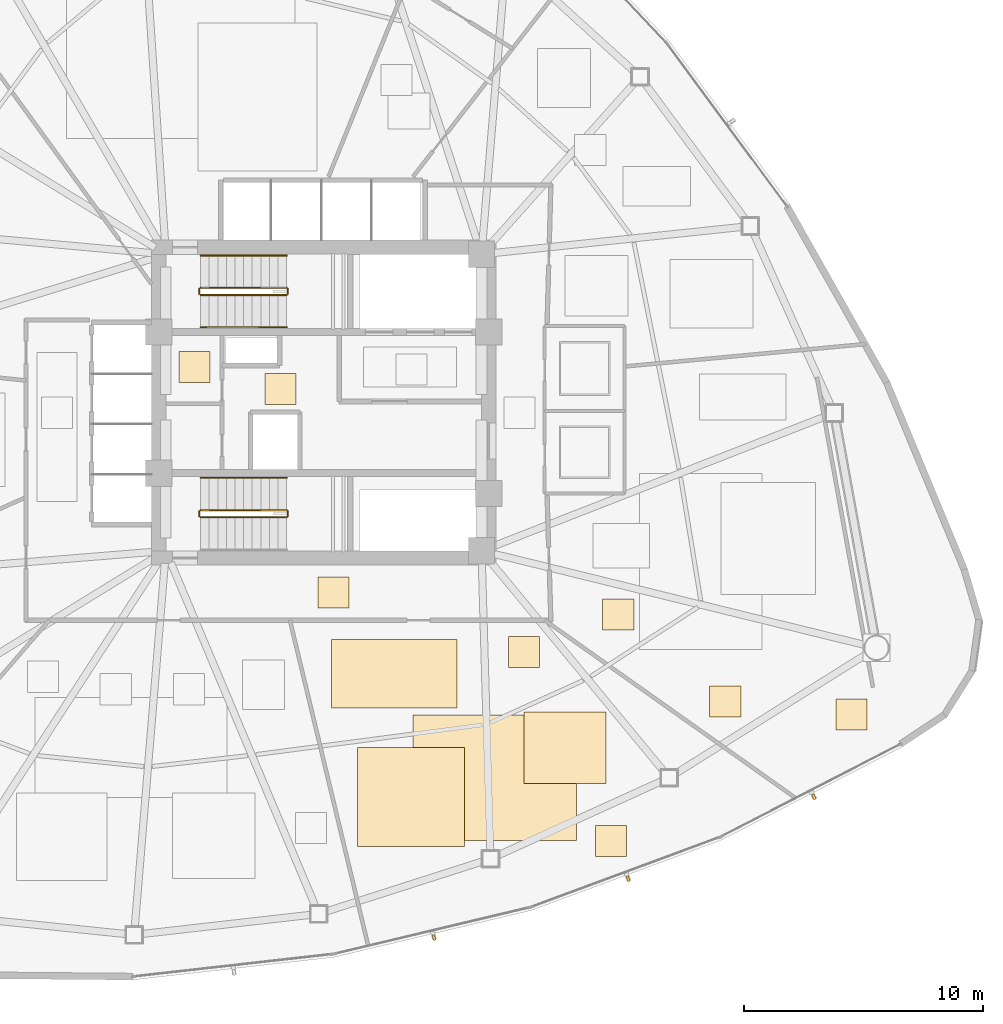
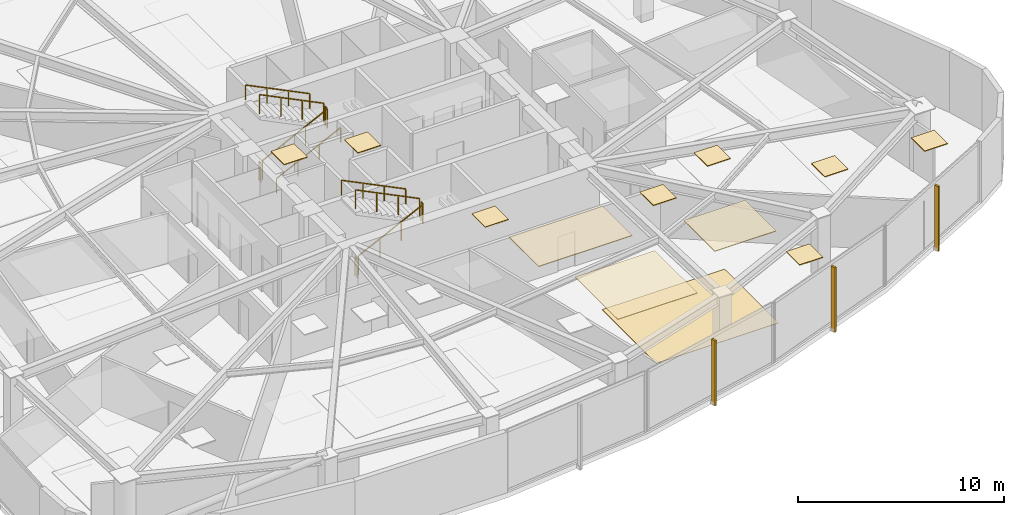
# One storey, part 15 of 17: 12 coverings, 11 railings, 3 shading devices.
"""IFC4 building model written with IfcOpenShell, lengths in metres."""

from ifc_helpers import new_model, si_unit, direction, frame, origin, origin_2d, place, context, subcontext, project, spatial, polyline, rectangle, outline, extrude, source, transform, mapped, material, layer, layer_set, type_object, type_shapes, element, save


model = new_model("IFC4")

# Units and contexts
model_context = context("Model", 3, precision=1e-05, world=origin(), true_north=direction((0.0, 1.0)))
body_context = subcontext(model_context, "Body", "Model", "MODEL_VIEW")
ifc_project = project(units=[si_unit("LENGTHUNIT", "METRE"), si_unit("AREAUNIT", "SQUARE_METRE"), si_unit("VOLUMEUNIT", "CUBIC_METRE"), si_unit("PLANEANGLEUNIT", "RADIAN"), si_unit("MASSUNIT", "GRAM", prefix="KILO")], contexts=[model_context])

# Site, building, storey
site_placement = place(None, origin())
site = spatial("IfcSite", under=ifc_project, at=site_placement, CompositionType="ELEMENT")
building_placement = place(site_placement, origin())
building = spatial("IfcBuilding", under=site, at=building_placement, Name="Tavelor Broadcast Tower", CompositionType="ELEMENT")
storey_placement = place(building_placement, frame((0.0, 0.0, 66.60009765625)))
storey = spatial("IfcBuildingStorey", under=building, at=storey_placement, Name="L15", CompositionType="ELEMENT", Elevation=66.60009765625)

# Covering
ifc_material_1 = material(Name="Copper-Bronze Anodized Aluminium", Category="aluminium")
ifc_layer_1 = layer(ifc_material_1, 0.044921875)
ifc_layer_set_1 = layer_set([ifc_layer_1], Name="Copper-Bronze Anodized Aluminium")
covering_type_1 = type_object("IfcCoveringType", Name="Anodised Bronze Linear Slatted Concourse Ceiling 45 mm", PredefinedType="CEILING", material=ifc_layer_set_1)
covering_1_placement = place(storey_placement, frame((0.0, 0.0, 3.554931640625)))
element("IfcCovering", 1, at=covering_1_placement, inside=storey, type_object=covering_type_1, Name="L15 Suspended Acoustic Ceiling 0589", PredefinedType="CEILING", context=body_context, shape_type="SweptSolid", body=[
    extrude(outline(polyline([(47.5400390625, 44.919921875), (48.840087890625, 44.919921875), (48.840087890625, 46.219970703125), (47.5400390625, 46.219970703125), (47.5400390625, 44.919921875)])), origin(), (0.0, 0.0, 1.0), 0.044921875),
])

# Railings
ifc_material_2 = material(Name="Steel S355", Category="steel")
railing_type_1 = type_object("IfcRailingType", Name="Continuous Brushed Stainless Handrail 900 mm", PredefinedType="HANDRAIL", material=ifc_material_2)
railing_1_placement = place(storey_placement, frame((44.85009765625, 48.14990234375, 0.17724609375)))
element("IfcRailing", 2, at=railing_1_placement, inside=storey, type_object=railing_type_1, Name="L15 ST1 stair handrail 1", PredefinedType="HANDRAIL", context=body_context, shape_type="SweptSolid", body=[
    extrude(rectangle(XDim=0.048095703125, YDim=0.048095703125, at=origin_2d()), frame((0.0, 0.0, 0.8759765625), z_axis=(0.897124305991, 0.0, 0.441778201817), x_axis=(0.0, 1.0, 0.0)), (0.0, 0.0, 1.0), 4.0126953125),
    extrude(rectangle(XDim=0.0419921875, YDim=0.0419921875, at=origin_2d()), origin(), (0.0, 0.0, 1.0), 0.851806640625),
    extrude(rectangle(XDim=0.0419921875, YDim=0.0419921875, at=origin_2d()), frame((1.199951171875, 0.0, 0.5908203125)), (0.0, 0.0, 1.0), 0.851806640625),
    extrude(rectangle(XDim=0.0419921875, YDim=0.0419921875, at=origin_2d()), frame((2.39990234375, 0.0, 1.181884765625)), (0.0, 0.0, 1.0), 0.851806640625),
    extrude(rectangle(XDim=0.0419921875, YDim=0.0419921875, at=origin_2d()), frame((3.599853515625, 0.0, 1.772705078125)), (0.0, 0.0, 1.0), 0.851806640625),
])
for number, where, name in (
    (3, (48.449951171875, 51.14990234375, 2.127197265625), "L15 ST1 stair handrail 2"),
    (4, (48.449951171875, 41.85009765625, 2.127197265625), "L15 ST2 stair handrail 2"),
):
    element("IfcRailing", number, at=place(storey_placement, frame(where)), inside=storey, type_object=railing_type_1, Name=name, PredefinedType="HANDRAIL", context=body_context, shape_type="SweptSolid", body=[
        extrude(rectangle(XDim=0.048095703125, YDim=0.048095703125, at=origin_2d()), frame((0.0, 0.0, 0.8759765625), z_axis=(-0.897124305991, 0.0, 0.441778201817), x_axis=(0.0, -1.0, 0.0)), (0.0, 0.0, 1.0), 4.0126953125),
        extrude(rectangle(XDim=0.0419921875, YDim=0.0419921875, at=origin_2d()), origin(), (0.0, 0.0, 1.0), 0.851806640625),
        extrude(rectangle(XDim=0.0419921875, YDim=0.0419921875, at=origin_2d()), frame((-1.199951171875, 0.0, 0.5908203125)), (0.0, 0.0, 1.0), 0.851806640625),
        extrude(rectangle(XDim=0.0419921875, YDim=0.0419921875, at=origin_2d()), frame((-2.39990234375, 0.0, 1.181884765625)), (0.0, 0.0, 1.0), 0.851806640625),
        extrude(rectangle(XDim=0.0419921875, YDim=0.0419921875, at=origin_2d()), frame((-3.599853515625, 0.0, 1.772705078125)), (0.0, 0.0, 1.0), 0.851806640625),
    ])

# Coverings
ifc_material_3 = material(Name="Architectural Anodized Aluminium", Category="aluminium")
ifc_layer_2 = layer(ifc_material_3, 0.034912109375)
ifc_layer_set_2 = layer_set([ifc_layer_2], Name="Architectural Anodized Aluminium")
covering_type_2 = type_object("IfcCoveringType", Name="Demountable Metal Tile Corridor Ceiling 35 mm", PredefinedType="CEILING", material=ifc_layer_set_2)
covering_2_placement = place(storey_placement, frame((0.0, 0.0, 3.56494140625)))
element("IfcCovering", 5, at=covering_2_placement, inside=storey, type_object=covering_type_2, Name="L15 Suspended Acoustic Ceiling 0592", PredefinedType="CEILING", context=body_context, shape_type="SweptSolid", body=[
    extrude(outline(polyline([(49.75244140625, 36.39990234375), (51.052490234375, 36.39990234375), (51.052490234375, 37.699951171875), (49.75244140625, 37.699951171875), (49.75244140625, 36.39990234375)])), origin(), (0.0, 0.0, 1.0), 0.034912109375),
])
ifc_material_4 = material(Name="Acoustic Nylon Carpet Tile")
ifc_layer_3 = layer(ifc_material_4, 0.02001953125)
ifc_layer_set_3 = layer_set([ifc_layer_3], Name="Acoustic Nylon Carpet Tile")
covering_type_3 = type_object("IfcCoveringType", Name="Heavy-Duty Acoustic Broadcast Carpet Tile 20 mm", PredefinedType="FLOORING", material=ifc_layer_set_3)
covering_3_placement = place(storey_placement, origin())
element("IfcCovering", 6, at=covering_3_placement, inside=storey, type_object=covering_type_3, Name="L15 Broadcast Floor Finish 0216", PredefinedType="FLOORING", context=body_context, shape_type="SweptSolid", body=[
    extrude(outline(polyline([(53.725830078125, 26.690673828125), (60.58154296875, 26.690673828125), (60.58154296875, 31.945068359375), (53.725830078125, 31.945068359375), (53.725830078125, 26.690673828125)])), origin(), (0.0, 0.0, 1.0), 0.02001953125),
])

# Railings
railing_type_2 = type_object("IfcRailingType", Name="Stairwell Steel Safety Guardrail 1150 mm", PredefinedType="GUARDRAIL", material=ifc_material_2)
railing_2_placement = place(storey_placement, frame((44.85009765625, 49.5, 0.17724609375)))
element("IfcRailing", 7, at=railing_2_placement, inside=storey, type_object=railing_type_2, Name="L15 ST1 stair guard 1", PredefinedType="GUARDRAIL", context=body_context, shape_type="SweptSolid", body=[
    extrude(rectangle(XDim=0.048095703125, YDim=0.048095703125, at=origin_2d()), frame((0.0, 0.0, 1.1259765625), z_axis=(0.897124305991, 0.0, 0.441778201817), x_axis=(0.0, 1.0, 0.0)), (0.0, 0.0, 1.0), 4.0126953125),
    extrude(rectangle(XDim=0.0419921875, YDim=0.0419921875, at=origin_2d()), origin(), (0.0, 0.0, 1.0), 1.101806640625),
    extrude(rectangle(XDim=0.0419921875, YDim=0.0419921875, at=origin_2d()), frame((1.199951171875, 0.0, 0.5908203125)), (0.0, 0.0, 1.0), 1.101806640625),
    extrude(rectangle(XDim=0.0419921875, YDim=0.0419921875, at=origin_2d()), frame((2.39990234375, 0.0, 1.181884765625)), (0.0, 0.0, 1.0), 1.101806640625),
    extrude(rectangle(XDim=0.0419921875, YDim=0.0419921875, at=origin_2d()), frame((3.599853515625, 0.0, 1.772705078125)), (0.0, 0.0, 1.0), 1.101806640625),
])
railing_3_placement = place(storey_placement, frame((48.5, 49.550048828125, 1.949951171875)))
element("IfcRailing", 8, at=railing_3_placement, inside=storey, type_object=railing_type_2, Name="L15 ST1 stair guard 2", PredefinedType="GUARDRAIL", context=body_context, shape_type="SweptSolid", body=[
    extrude(rectangle(XDim=0.048095703125, YDim=0.048095703125, at=origin_2d()), frame((0.0, 0.0, 1.1259765625), z_axis=(0.0, 1.0, 0.0), x_axis=(-1.0, 0.0, 0.0)), (0.0, 0.0, 1.0), 0.199951171875),
    extrude(rectangle(XDim=0.0419921875, YDim=0.0419921875, at=origin_2d()), origin(), (0.0, 0.0, 1.0), 1.101806640625),
    extrude(rectangle(XDim=0.0419921875, YDim=0.0419921875, at=origin_2d()), frame((0.0, 0.199951171875, 0.0)), (0.0, 0.0, 1.0), 1.101806640625),
])
railing_4_placement = place(storey_placement, frame((48.449951171875, 49.800048828125, 2.127197265625)))
element("IfcRailing", 9, at=railing_4_placement, inside=storey, type_object=railing_type_2, Name="L15 ST1 stair guard 3", PredefinedType="GUARDRAIL", context=body_context, shape_type="SweptSolid", body=[
    extrude(rectangle(XDim=0.048095703125, YDim=0.048095703125, at=origin_2d()), frame((0.0, 0.0, 1.1259765625), z_axis=(-0.897124305991, 0.0, 0.441778201817), x_axis=(0.0, -1.0, 0.0)), (0.0, 0.0, 1.0), 4.0126953125),
    extrude(rectangle(XDim=0.0419921875, YDim=0.0419921875, at=origin_2d()), origin(), (0.0, 0.0, 1.0), 1.101806640625),
    extrude(rectangle(XDim=0.0419921875, YDim=0.0419921875, at=origin_2d()), frame((-1.199951171875, 0.0, 0.5908203125)), (0.0, 0.0, 1.0), 1.101806640625),
    extrude(rectangle(XDim=0.0419921875, YDim=0.0419921875, at=origin_2d()), frame((-2.39990234375, 0.0, 1.181884765625)), (0.0, 0.0, 1.0), 1.101806640625),
    extrude(rectangle(XDim=0.0419921875, YDim=0.0419921875, at=origin_2d()), frame((-3.599853515625, 0.0, 1.772705078125)), (0.0, 0.0, 1.0), 1.101806640625),
])
railing_5_placement = place(storey_placement, frame((44.800048828125, 49.550048828125, 0.0)))
element("IfcRailing", 10, at=railing_5_placement, inside=storey, type_object=railing_type_2, Name="L15 ST1 stair guard 4", PredefinedType="GUARDRAIL", context=body_context, shape_type="SweptSolid", body=[
    extrude(rectangle(XDim=0.048095703125, YDim=0.048095703125, at=origin_2d()), frame((0.0, 0.0, 1.1259765625), z_axis=(0.0, 1.0, 0.0), x_axis=(-1.0, 0.0, 0.0)), (0.0, 0.0, 1.0), 0.199951171875),
    extrude(rectangle(XDim=0.0419921875, YDim=0.0419921875, at=origin_2d()), origin(), (0.0, 0.0, 1.0), 1.101806640625),
    extrude(rectangle(XDim=0.0419921875, YDim=0.0419921875, at=origin_2d()), frame((0.0, 0.199951171875, 0.0)), (0.0, 0.0, 1.0), 1.101806640625),
])
railing_6_placement = place(storey_placement, frame((44.85009765625, 40.199951171875, 0.17724609375)))
element("IfcRailing", 11, at=railing_6_placement, inside=storey, type_object=railing_type_2, Name="L15 ST2 stair guard 1", PredefinedType="GUARDRAIL", context=body_context, shape_type="SweptSolid", body=[
    extrude(rectangle(XDim=0.048095703125, YDim=0.048095703125, at=origin_2d()), frame((0.0, 0.0, 1.1259765625), z_axis=(0.897124305991, 0.0, 0.441778201817), x_axis=(0.0, 1.0, 0.0)), (0.0, 0.0, 1.0), 4.0126953125),
    extrude(rectangle(XDim=0.0419921875, YDim=0.0419921875, at=origin_2d()), origin(), (0.0, 0.0, 1.0), 1.101806640625),
    extrude(rectangle(XDim=0.0419921875, YDim=0.0419921875, at=origin_2d()), frame((1.199951171875, 0.0, 0.5908203125)), (0.0, 0.0, 1.0), 1.101806640625),
    extrude(rectangle(XDim=0.0419921875, YDim=0.0419921875, at=origin_2d()), frame((2.39990234375, 0.0, 1.181884765625)), (0.0, 0.0, 1.0), 1.101806640625),
    extrude(rectangle(XDim=0.0419921875, YDim=0.0419921875, at=origin_2d()), frame((3.599853515625, 0.0, 1.772705078125)), (0.0, 0.0, 1.0), 1.101806640625),
])
railing_7_placement = place(storey_placement, frame((48.5, 40.25, 1.949951171875)))
element("IfcRailing", 12, at=railing_7_placement, inside=storey, type_object=railing_type_2, Name="L15 ST2 stair guard 2", PredefinedType="GUARDRAIL", context=body_context, shape_type="SweptSolid", body=[
    extrude(rectangle(XDim=0.048095703125, YDim=0.048095703125, at=origin_2d()), frame((0.0, 0.0, 1.1259765625), z_axis=(0.0, 1.0, 0.0), x_axis=(-1.0, 0.0, 0.0)), (0.0, 0.0, 1.0), 0.199951171875),
    extrude(rectangle(XDim=0.0419921875, YDim=0.0419921875, at=origin_2d()), origin(), (0.0, 0.0, 1.0), 1.101806640625),
    extrude(rectangle(XDim=0.0419921875, YDim=0.0419921875, at=origin_2d()), frame((0.0, 0.199951171875, 0.0)), (0.0, 0.0, 1.0), 1.101806640625),
])
railing_8_placement = place(storey_placement, frame((48.449951171875, 40.5, 2.127197265625)))
element("IfcRailing", 13, at=railing_8_placement, inside=storey, type_object=railing_type_2, Name="L15 ST2 stair guard 3", PredefinedType="GUARDRAIL", context=body_context, shape_type="SweptSolid", body=[
    extrude(rectangle(XDim=0.048095703125, YDim=0.048095703125, at=origin_2d()), frame((0.0, 0.0, 1.1259765625), z_axis=(-0.897124305991, 0.0, 0.441778201817), x_axis=(0.0, -1.0, 0.0)), (0.0, 0.0, 1.0), 4.0126953125),
    extrude(rectangle(XDim=0.0419921875, YDim=0.0419921875, at=origin_2d()), origin(), (0.0, 0.0, 1.0), 1.101806640625),
    extrude(rectangle(XDim=0.0419921875, YDim=0.0419921875, at=origin_2d()), frame((-1.199951171875, 0.0, 0.5908203125)), (0.0, 0.0, 1.0), 1.101806640625),
    extrude(rectangle(XDim=0.0419921875, YDim=0.0419921875, at=origin_2d()), frame((-2.39990234375, 0.0, 1.181884765625)), (0.0, 0.0, 1.0), 1.101806640625),
    extrude(rectangle(XDim=0.0419921875, YDim=0.0419921875, at=origin_2d()), frame((-3.599853515625, 0.0, 1.772705078125)), (0.0, 0.0, 1.0), 1.101806640625),
])
railing_9_placement = place(storey_placement, frame((44.800048828125, 40.25, 0.0)))
element("IfcRailing", 14, at=railing_9_placement, inside=storey, type_object=railing_type_2, Name="L15 ST2 stair guard 4", PredefinedType="GUARDRAIL", context=body_context, shape_type="SweptSolid", body=[
    extrude(rectangle(XDim=0.048095703125, YDim=0.048095703125, at=origin_2d()), frame((0.0, 0.0, 1.1259765625), z_axis=(0.0, 1.0, 0.0), x_axis=(-1.0, 0.0, 0.0)), (0.0, 0.0, 1.0), 0.199951171875),
    extrude(rectangle(XDim=0.0419921875, YDim=0.0419921875, at=origin_2d()), origin(), (0.0, 0.0, 1.0), 1.101806640625),
    extrude(rectangle(XDim=0.0419921875, YDim=0.0419921875, at=origin_2d()), frame((0.0, 0.199951171875, 0.0)), (0.0, 0.0, 1.0), 1.101806640625),
])

# Coverings
ifc_material_5 = material(Name="Acoustic Mineral Fibre Tile")
ifc_layer_4 = layer(ifc_material_5, 0.0400390625)
ifc_layer_set_4 = layer_set([ifc_layer_4], Name="Acoustic Mineral Fibre Tile")
covering_type_4 = type_object("IfcCoveringType", Name="Suspended Acoustic Mineral-Fibre Office Ceiling 40 mm", PredefinedType="CEILING", material=ifc_layer_set_4)
covering_4_placement = place(storey_placement, frame((0.0, 0.0, 3.559814453125)))
element("IfcCovering", 15, at=covering_4_placement, inside=storey, type_object=covering_type_4, Name="L15 Suspended Acoustic Ceiling 0590", PredefinedType="CEILING", context=body_context, shape_type="SweptSolid", body=[
    extrude(outline(polyline([(43.951416015625, 45.843017578125), (45.25146484375, 45.843017578125), (45.25146484375, 47.14306640625), (43.951416015625, 47.14306640625), (43.951416015625, 45.843017578125)])), origin(), (0.0, 0.0, 1.0), 0.0400390625),
])
covering_5_placement = place(storey_placement, frame((0.0, 0.0, 3.559814453125)))
element("IfcCovering", 16, at=covering_5_placement, inside=storey, type_object=covering_type_4, Name="L15 Suspended Acoustic Ceiling 0624", PredefinedType="CEILING", context=body_context, shape_type="SweptSolid", body=[
    extrude(outline(polyline([(66.142333984375, 31.8544921875), (67.4423828125, 31.8544921875), (67.4423828125, 33.154296875), (66.142333984375, 33.154296875), (66.142333984375, 31.8544921875)])), origin(), (0.0, 0.0, 1.0), 0.0400390625),
])
covering_6_placement = place(storey_placement, frame((0.0, 0.0, 3.559814453125)))
element("IfcCovering", 17, at=covering_6_placement, inside=storey, type_object=covering_type_4, Name="L15 Suspended Acoustic Ceiling 0625", PredefinedType="CEILING", context=body_context, shape_type="SweptSolid", body=[
    extrude(outline(polyline([(71.414794921875, 31.310302734375), (72.71484375, 31.310302734375), (72.71484375, 32.6103515625), (71.414794921875, 32.6103515625), (71.414794921875, 31.310302734375)])), origin(), (0.0, 0.0, 1.0), 0.0400390625),
])
covering_7_placement = place(storey_placement, frame((0.0, 0.0, 3.559814453125)))
element("IfcCovering", 18, at=covering_7_placement, inside=storey, type_object=covering_type_4, Name="L15 Suspended Acoustic Ceiling 0626", PredefinedType="CEILING", context=body_context, shape_type="SweptSolid", body=[
    extrude(outline(polyline([(61.66748046875, 35.481201171875), (62.96728515625, 35.481201171875), (62.96728515625, 36.781005859375), (61.66748046875, 36.781005859375), (61.66748046875, 35.481201171875)])), origin(), (0.0, 0.0, 1.0), 0.0400390625),
])
covering_8_placement = place(storey_placement, frame((0.0, 0.0, 3.559814453125)))
element("IfcCovering", 19, at=covering_8_placement, inside=storey, type_object=covering_type_4, Name="L15 Suspended Acoustic Ceiling 0627", PredefinedType="CEILING", context=body_context, shape_type="SweptSolid", body=[
    extrude(outline(polyline([(61.357177734375, 26.0107421875), (62.6572265625, 26.0107421875), (62.6572265625, 27.310791015625), (61.357177734375, 27.310791015625), (61.357177734375, 26.0107421875)])), origin(), (0.0, 0.0, 1.0), 0.0400390625),
])
covering_9_placement = place(storey_placement, frame((0.0, 0.0, 3.559814453125)))
element("IfcCovering", 20, at=covering_9_placement, inside=storey, type_object=covering_type_4, Name="L15 Suspended Acoustic Ceiling 0628", PredefinedType="CEILING", context=body_context, shape_type="SweptSolid", body=[
    extrude(outline(polyline([(51.41943359375, 26.4287109375), (55.881591796875, 26.4287109375), (55.881591796875, 30.56640625), (51.41943359375, 30.56640625), (51.41943359375, 26.4287109375)])), origin(), (0.0, 0.0, 1.0), 0.0400390625),
])
covering_10_placement = place(storey_placement, frame((0.0, 0.0, 3.559814453125)))
element("IfcCovering", 21, at=covering_10_placement, inside=storey, type_object=covering_type_4, Name="L15 Suspended Acoustic Ceiling 0629", PredefinedType="CEILING", context=body_context, shape_type="SweptSolid", body=[
    extrude(outline(polyline([(50.332275390625, 32.220947265625), (55.577880859375, 32.220947265625), (55.577880859375, 35.09423828125), (50.332275390625, 35.09423828125), (50.332275390625, 32.220947265625)])), origin(), (0.0, 0.0, 1.0), 0.0400390625),
])
covering_11_placement = place(storey_placement, frame((0.0, 0.0, 3.559814453125)))
element("IfcCovering", 22, at=covering_11_placement, inside=storey, type_object=covering_type_4, Name="L15 Suspended Acoustic Ceiling 0630", PredefinedType="CEILING", context=body_context, shape_type="SweptSolid", body=[
    extrude(outline(polyline([(57.73095703125, 33.91650390625), (59.031005859375, 33.91650390625), (59.031005859375, 35.216552734375), (57.73095703125, 35.216552734375), (57.73095703125, 33.91650390625)])), origin(), (0.0, 0.0, 1.0), 0.0400390625),
])
covering_12_placement = place(storey_placement, frame((0.0, 0.0, 3.559814453125)))
element("IfcCovering", 23, at=covering_12_placement, inside=storey, type_object=covering_type_4, Name="L15 Suspended Acoustic Ceiling 0631", PredefinedType="CEILING", context=body_context, shape_type="SweptSolid", body=[
    extrude(outline(polyline([(58.373779296875, 29.06640625), (61.811279296875, 29.06640625), (61.811279296875, 32.069091796875), (58.373779296875, 32.069091796875), (58.373779296875, 29.06640625)])), origin(), (0.0, 0.0, 1.0), 0.0400390625),
])

# Shading devices
ifc_material_6 = material(Name="Kiln-Fired Glazed Terracotta", Category="masonry")
shading_device_type = type_object("IfcShadingDeviceType", Name="Extruded Terracotta Baguette Sun-Screen 110x240", PredefinedType="JALOUSIE", material=ifc_material_6)
shared_shape = source(origin(), body_context, "Body", "SweptSolid", [
    extrude(rectangle(XDim=0.110107421875, YDim=0.239990234375, at=origin_2d()), origin(), (0.0, 0.0, 1.0), 3.840087890625),
])
type_shapes(shading_device_type, [shared_shape])
for number, where, z_axis, x_axis, name in (
    (24, (54.61181640625, 22.62890625, -0.26025390625), (0.0, 0.0, 1.0), (0.972856714222, 0.231408326543, 0.0), "L15 Terracotta Baguette Fin 138"),
    (25, (62.73388671875, 25.089111328125, -0.26025390625), (0.0, 0.0, 1.0), (0.937707150974, 0.347426681491, 0.0), "L15 Terracotta Baguette Fin 139"),
    (26, (70.498291015625, 28.513916015625, -0.26025390625), (0.0, 0.0, 1.0), (0.888777277411, 0.458339340618, 0.0), "L15 Terracotta Baguette Fin 140"),
):
    element("IfcShadingDevice", number, at=place(storey_placement, frame(where, z_axis=z_axis, x_axis=x_axis)), inside=storey, type_object=shading_device_type, Name=name, PredefinedType="JALOUSIE", context=body_context, shape_type="MappedRepresentation", body=[
        mapped(shared_shape, transform((0.0, 0.0, 0.0), scale=1.0)),
    ])

save(model, "model.ifc")
